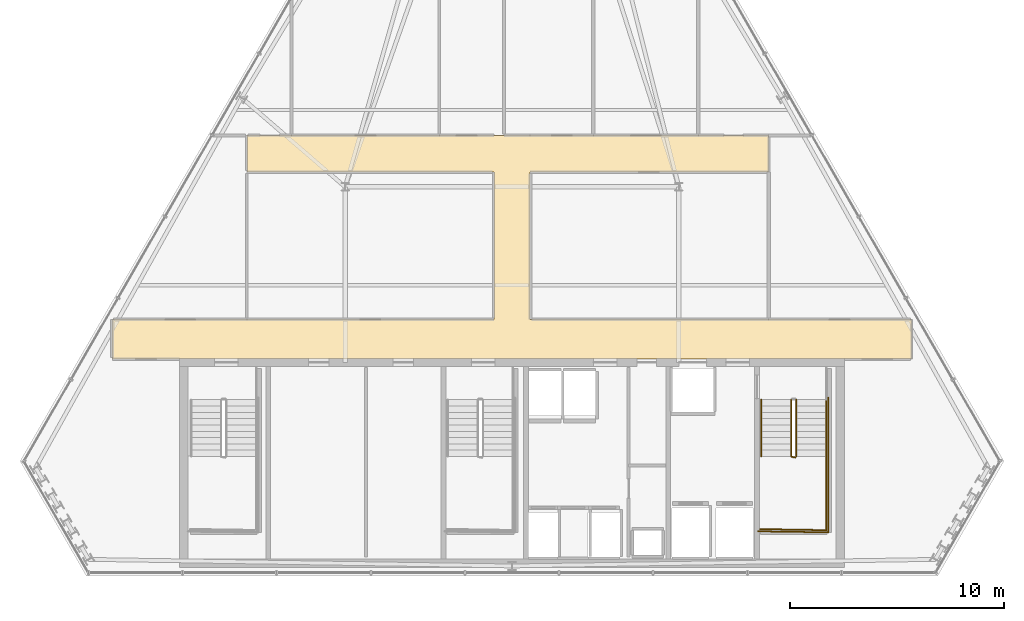
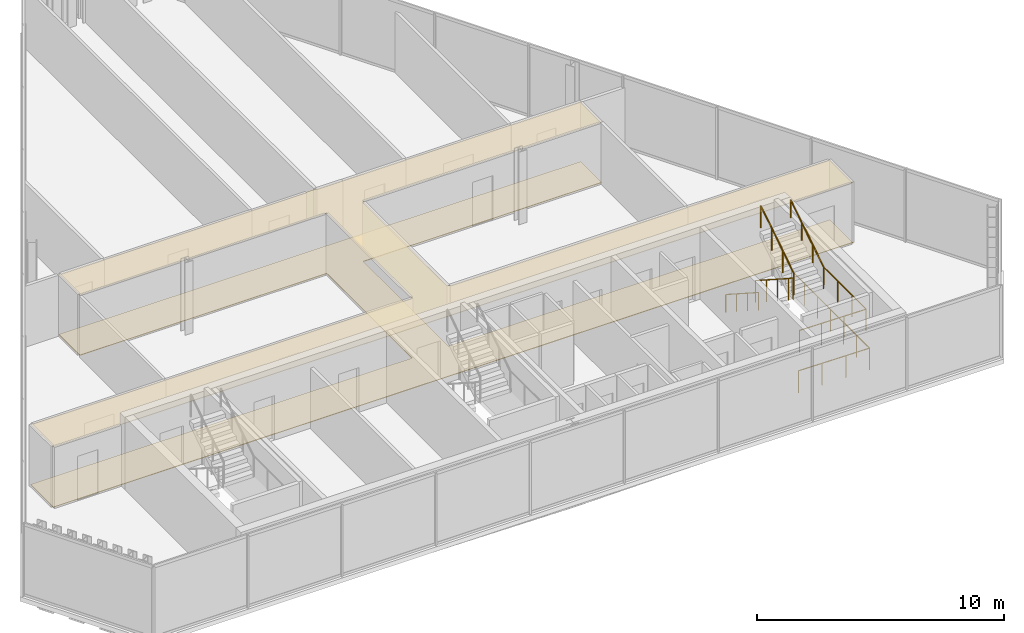
# One storey, part 31 of 32: 6 railings, 2 coverings.
"""IFC4 building model written with IfcOpenShell, lengths in metres."""

from ifc_helpers import new_model, si_unit, direction, frame, origin, origin_2d, place, context, subcontext, project, spatial, polyline, circle, outline, extrude, material, layer, layer_set, type_object, element, save


model = new_model("IFC4")

# Units and contexts
model_context = context("Model", 3, precision=1e-05, world=origin(), true_north=direction((0.0, 1.0)))
body_context = subcontext(model_context, "Body", "Model", "MODEL_VIEW")
ifc_project = project(units=[si_unit("LENGTHUNIT", "METRE"), si_unit("AREAUNIT", "SQUARE_METRE"), si_unit("VOLUMEUNIT", "CUBIC_METRE"), si_unit("PLANEANGLEUNIT", "RADIAN"), si_unit("MASSUNIT", "GRAM", prefix="KILO")], contexts=[model_context])

# Site, building, storey
site_placement = place(None, origin())
site = spatial("IfcSite", under=ifc_project, at=site_placement, CompositionType="ELEMENT")
building_placement = place(site_placement, origin())
building = spatial("IfcBuilding", under=site, at=building_placement, Name="Ndaravel Arena Tower", CompositionType="ELEMENT")
storey_placement = place(building_placement, frame((0.0, 0.0, 256.0)))
storey = spatial("IfcBuildingStorey", under=building, at=storey_placement, Name="L62", CompositionType="ELEMENT", Elevation=256.0)

# Coverings
ifc_material_1 = material(Name="Acoustic Ceiling Tile", Category="finish")
ifc_layer_1 = layer(ifc_material_1, 0.02490234375)
ifc_layer_set_1 = layer_set([ifc_layer_1], Name="Acoustic Ceiling Tile")
covering_type_1 = type_object("IfcCoveringType", Name="COV-CEIL-AC600", PredefinedType="CEILING", material=ifc_layer_set_1)
covering_1_placement = place(storey_placement, frame((0.0, 0.0, 2.98046875)))
element("IfcCovering", 1, at=covering_1_placement, inside=storey, type_object=covering_type_1, Name="L62 Corridor Acoustic Ceiling", PredefinedType="CEILING", context=body_context, shape_type="SweptSolid", body=[
    extrude(outline(polyline([(60.68505859375, 17.0), (42.85009765625, 17.0), (42.85009765625, 23.89990234375), (54.0, 23.89990234375), (54.0, 25.60009765625), (42.85009765625, 25.60009765625), (41.14990234375, 25.60009765625), (29.60009765625, 25.60009765625), (29.60009765625, 23.89990234375), (41.14990234375, 23.89990234375), (41.14990234375, 17.0), (23.31494140625, 17.0), (23.31494140625, 15.14990234375), (60.68505859375, 15.14990234375), (60.68505859375, 17.0)])), origin(), (0.0, 0.0, 1.0), 0.025146484375),
])
ifc_material_2 = material(Name="Terrazzo", Category="stone")
ifc_layer_2 = layer(ifc_material_2, 0.030029296875)
ifc_layer_set_2 = layer_set([ifc_layer_2], Name="Terrazzo")
covering_type_2 = type_object("IfcCoveringType", Name="COV-FLOOR-TERRAZZO", PredefinedType="FLOORING", material=ifc_layer_set_2)
covering_2_placement = place(storey_placement, origin())
element("IfcCovering", 2, at=covering_2_placement, inside=storey, type_object=covering_type_2, Name="L62 Corridor Terrazzo Flooring", PredefinedType="FLOORING", context=body_context, shape_type="SweptSolid", body=[
    extrude(outline(polyline([(60.68505859375, 17.0), (42.85009765625, 17.0), (42.85009765625, 23.89990234375), (54.0, 23.89990234375), (54.0, 25.60009765625), (42.85009765625, 25.60009765625), (41.14990234375, 25.60009765625), (29.60009765625, 25.60009765625), (29.60009765625, 23.89990234375), (41.14990234375, 23.89990234375), (41.14990234375, 17.0), (23.31494140625, 17.0), (23.31494140625, 15.14990234375), (60.68505859375, 15.14990234375), (60.68505859375, 17.0)])), origin(), (0.0, 0.0, 1.0), 0.030029296875),
])

# Railings
ifc_material_3 = material(Name="Steel S355", Category="steel")
ifc_layer_3 = layer(ifc_material_3, 0.06005859375)
ifc_layer_set_3 = layer_set([ifc_layer_3], Name="Steel S355")
railing_type_1 = type_object("IfcRailingType", Name="RAIL-STAIR-GD1100", PredefinedType="GUARDRAIL", material=ifc_layer_set_3)
railing_1_placement = place(storey_placement, frame((55.050048828125, 13.25, 0.18994140625)))
element("IfcRailing", 3, at=railing_1_placement, inside=storey, type_object=railing_type_1, Name="L62 ST-3 stair guard 1", PredefinedType="GUARDRAIL", context=body_context, shape_type="SweptSolid", body=[
    extrude(circle(Radius=0.02392578125, at=origin_2d()), frame((0.0, 0.0, 1.076171875), z_axis=(0.0, -0.840723540582, 0.54146461409), x_axis=(1.0, 0.0, 0.0)), (0.0, 0.0, 1.0), 3.157958984375),
    extrude(circle(Radius=0.02392578125, at=origin_2d()), frame((0.0, -2.655029296875, 2.7861328125), z_axis=(0.966993988697, -0.254799187253, 0.0), x_axis=(0.254799187253, 0.966993988697, 0.0)), (0.0, 0.0, 1.0), 0.196533203125),
    extrude(circle(Radius=0.02099609375, at=origin_2d()), origin(), (0.0, 0.0, 1.0), 1.052001953125),
    extrude(circle(Radius=0.02099609375, at=origin_2d()), frame((0.0, -0.885009765625, 0.570068359375)), (0.0, 0.0, 1.0), 1.052001953125),
    extrude(circle(Radius=0.02099609375, at=origin_2d()), frame((0.0, -1.77001953125, 1.139892578125)), (0.0, 0.0, 1.0), 1.052001953125),
    extrude(circle(Radius=0.02099609375, at=origin_2d()), frame((0.0, -2.655029296875, 1.7099609375)), (0.0, 0.0, 1.0), 1.052001953125),
    extrude(circle(Radius=0.02099609375, at=origin_2d()), frame((0.18994140625, -2.705078125, 1.7099609375)), (0.0, 0.0, 1.0), 1.052001953125),
])
railing_2_placement = place(storey_placement, frame((56.68994140625, 10.594970703125, 1.89990234375)))
element("IfcRailing", 4, at=railing_2_placement, inside=storey, type_object=railing_type_1, Name="L62 ST-3 stair guard 2", PredefinedType="GUARDRAIL", context=body_context, shape_type="SweptSolid", body=[
    extrude(circle(Radius=0.02392578125, at=origin_2d()), frame((0.0, 0.0, 1.076171875), z_axis=(0.0, -1.0, 0.0), x_axis=(1.0, 0.0, 0.0)), (0.0, 0.0, 1.0), 3.445068359375),
    extrude(circle(Radius=0.02392578125, at=origin_2d()), frame((0.0, -3.445068359375, 1.076171875), z_axis=(-0.999868840623, 0.016195726322, 0.0), x_axis=(-0.016195726322, -0.999868840623, 0.0)), (0.0, 0.0, 1.0), 3.09033203125),
    extrude(circle(Radius=0.02099609375, at=origin_2d()), origin(), (0.0, 0.0, 1.0), 1.052001953125),
    extrude(circle(Radius=0.02099609375, at=origin_2d()), frame((0.0, -1.1484375, 0.0)), (0.0, 0.0, 1.0), 1.052001953125),
    extrude(circle(Radius=0.02099609375, at=origin_2d()), frame((0.0, -2.296630859375, 0.0)), (0.0, 0.0, 1.0), 1.052001953125),
    extrude(circle(Radius=0.02099609375, at=origin_2d()), frame((0.0, -3.445068359375, 0.0)), (0.0, 0.0, 1.0), 1.052001953125),
    extrude(circle(Radius=0.02099609375, at=origin_2d()), frame((-1.030029296875, -3.428466796875, 0.0)), (0.0, 0.0, 1.0), 1.052001953125),
    extrude(circle(Radius=0.02099609375, at=origin_2d()), frame((-2.059814453125, -3.41162109375, 0.0)), (0.0, 0.0, 1.0), 1.052001953125),
    extrude(circle(Radius=0.02099609375, at=origin_2d()), frame((-3.08984375, -3.39501953125, 0.0)), (0.0, 0.0, 1.0), 1.052001953125),
])
railing_3_placement = place(storey_placement, frame((55.2900390625, 10.594970703125, 2.090087890625)))
element("IfcRailing", 5, at=railing_3_placement, inside=storey, type_object=railing_type_1, Name="L62 ST-3 stair guard 3", PredefinedType="GUARDRAIL", context=body_context, shape_type="SweptSolid", body=[
    extrude(circle(Radius=0.02392578125, at=origin_2d()), frame((0.0, 0.0, 1.076171875), z_axis=(0.0, 0.840723540582, 0.54146461409), x_axis=(-1.0, 0.0, 0.0)), (0.0, 0.0, 1.0), 3.157958984375),
    extrude(circle(Radius=0.02099609375, at=origin_2d()), origin(), (0.0, 0.0, 1.0), 1.052001953125),
    extrude(circle(Radius=0.02099609375, at=origin_2d()), frame((0.0, 0.885009765625, 0.570068359375)), (0.0, 0.0, 1.0), 1.052001953125),
    extrude(circle(Radius=0.02099609375, at=origin_2d()), frame((0.0, 1.77001953125, 1.139892578125)), (0.0, 0.0, 1.0), 1.052001953125),
    extrude(circle(Radius=0.02099609375, at=origin_2d()), frame((0.0, 2.655029296875, 1.7099609375)), (0.0, 0.0, 1.0), 1.052001953125),
])
railing_4_placement = place(storey_placement, frame((56.7900390625, 13.35009765625, 0.0)))
element("IfcRailing", 6, at=railing_4_placement, inside=storey, type_object=railing_type_1, Name="L62 ST-3 stair guard 6", PredefinedType="GUARDRAIL", context=body_context, shape_type="SweptSolid", body=[
    extrude(circle(Radius=0.02392578125, at=origin_2d()), frame((0.0, 0.0, 1.076171875), z_axis=(0.0, -1.0, 0.0), x_axis=(1.0, 0.0, 0.0)), (0.0, 0.0, 1.0), 6.300048828125),
    extrude(circle(Radius=0.02392578125, at=origin_2d()), frame((0.0, -6.300048828125, 1.076171875), z_axis=(-0.99988431412, 0.015210469308, 0.0), x_axis=(-0.015210469308, -0.99988431412, 0.0)), (0.0, 0.0, 1.0), 3.29052734375),
    extrude(circle(Radius=0.02099609375, at=origin_2d()), origin(), (0.0, 0.0, 1.0), 1.052001953125),
    extrude(circle(Radius=0.02099609375, at=origin_2d()), frame((0.0, -1.050048828125, 0.0)), (0.0, 0.0, 1.0), 1.052001953125),
    extrude(circle(Radius=0.02099609375, at=origin_2d()), frame((0.0, -2.10009765625, 0.0)), (0.0, 0.0, 1.0), 1.052001953125),
    extrude(circle(Radius=0.02099609375, at=origin_2d()), frame((0.0, -3.14990234375, 0.0)), (0.0, 0.0, 1.0), 1.052001953125),
    extrude(circle(Radius=0.02099609375, at=origin_2d()), frame((0.0, -4.199951171875, 0.0)), (0.0, 0.0, 1.0), 1.052001953125),
    extrude(circle(Radius=0.02099609375, at=origin_2d()), frame((0.0, -5.25, 0.0)), (0.0, 0.0, 1.0), 1.052001953125),
    extrude(circle(Radius=0.02099609375, at=origin_2d()), frame((0.0, -6.300048828125, 0.0)), (0.0, 0.0, 1.0), 1.052001953125),
    extrude(circle(Radius=0.02099609375, at=origin_2d()), frame((-1.0966796875, -6.283447265625, 0.0)), (0.0, 0.0, 1.0), 1.052001953125),
    extrude(circle(Radius=0.02099609375, at=origin_2d()), frame((-2.193359375, -6.2666015625, 0.0)), (0.0, 0.0, 1.0), 1.052001953125),
    extrude(circle(Radius=0.02099609375, at=origin_2d()), frame((-3.2900390625, -6.25, 0.0)), (0.0, 0.0, 1.0), 1.052001953125),
])
ifc_material_4 = material(Name="Steel S355", Category="steel")
ifc_layer_4 = layer(ifc_material_4, 0.050048828125)
ifc_layer_set_4 = layer_set([ifc_layer_4], Name="Steel S355")
railing_type_2 = type_object("IfcRailingType", Name="RAIL-STAIR-HR920", PredefinedType="HANDRAIL", material=ifc_layer_set_4)
railing_5_placement = place(storey_placement, frame((53.64990234375, 13.25, 0.18994140625)))
element("IfcRailing", 7, at=railing_5_placement, inside=storey, type_object=railing_type_2, Name="L62 ST-3 stair handrail 1", PredefinedType="HANDRAIL", context=body_context, shape_type="SweptSolid", body=[
    extrude(circle(Radius=0.02392578125, at=origin_2d()), frame((0.0, 0.0, 0.8759765625), z_axis=(0.0, -0.840723540582, 0.54146461409), x_axis=(1.0, 0.0, 0.0)), (0.0, 0.0, 1.0), 3.157958984375),
    extrude(circle(Radius=0.02099609375, at=origin_2d()), origin(), (0.0, 0.0, 1.0), 0.851806640625),
    extrude(circle(Radius=0.02099609375, at=origin_2d()), frame((0.0, -0.885009765625, 0.570068359375)), (0.0, 0.0, 1.0), 0.851806640625),
    extrude(circle(Radius=0.02099609375, at=origin_2d()), frame((0.0, -1.77001953125, 1.139892578125)), (0.0, 0.0, 1.0), 0.851806640625),
    extrude(circle(Radius=0.02099609375, at=origin_2d()), frame((0.0, -2.655029296875, 1.7099609375)), (0.0, 0.0, 1.0), 0.851806640625),
])
railing_6_placement = place(storey_placement, frame((56.68994140625, 10.594970703125, 2.090087890625)))
element("IfcRailing", 8, at=railing_6_placement, inside=storey, type_object=railing_type_2, Name="L62 ST-3 stair handrail 2", PredefinedType="HANDRAIL", context=body_context, shape_type="SweptSolid", body=[
    extrude(circle(Radius=0.02392578125, at=origin_2d()), frame((0.0, 0.0, 0.8759765625), z_axis=(0.0, 0.840723540582, 0.54146461409), x_axis=(-1.0, 0.0, 0.0)), (0.0, 0.0, 1.0), 3.157958984375),
    extrude(circle(Radius=0.02099609375, at=origin_2d()), origin(), (0.0, 0.0, 1.0), 0.851806640625),
    extrude(circle(Radius=0.02099609375, at=origin_2d()), frame((0.0, 0.885009765625, 0.570068359375)), (0.0, 0.0, 1.0), 0.851806640625),
    extrude(circle(Radius=0.02099609375, at=origin_2d()), frame((0.0, 1.77001953125, 1.139892578125)), (0.0, 0.0, 1.0), 0.851806640625),
    extrude(circle(Radius=0.02099609375, at=origin_2d()), frame((0.0, 2.655029296875, 1.7099609375)), (0.0, 0.0, 1.0), 0.851806640625),
])

save(model, "model.ifc")
